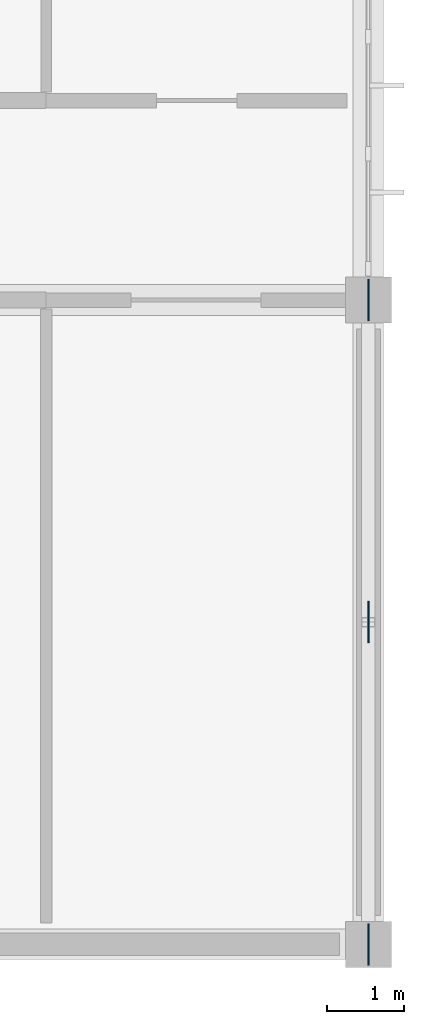
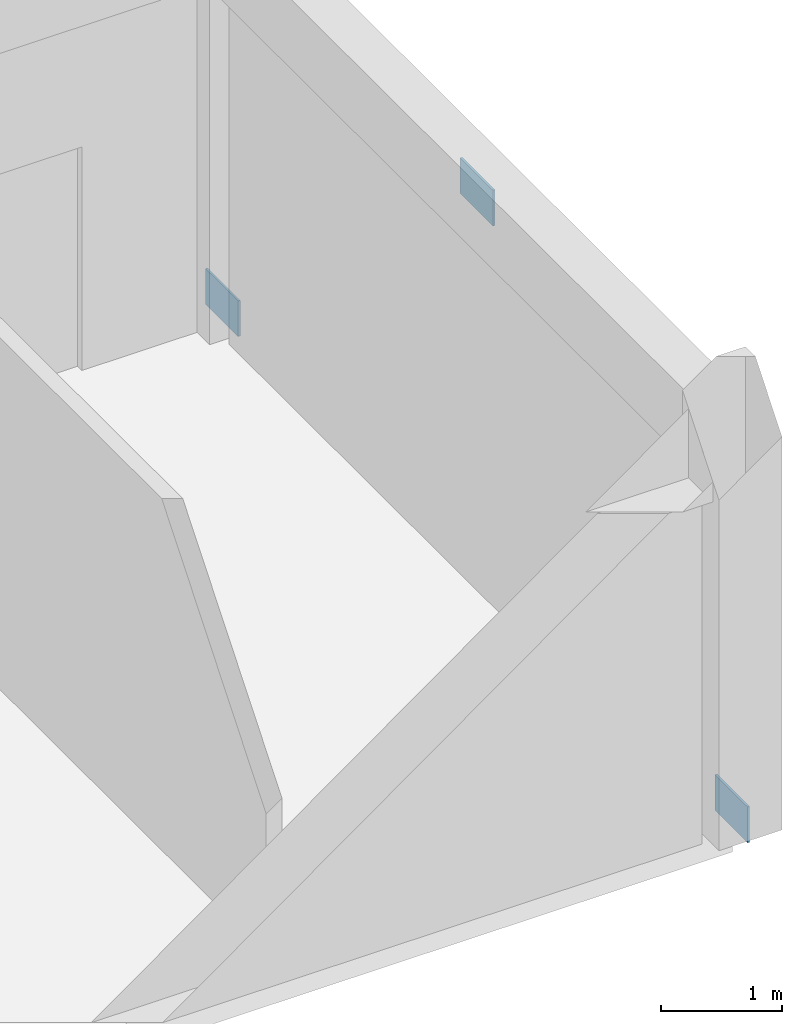
# One storey, part 94 of 144: 3 plates.
"""IFC4 building model written with IfcOpenShell, lengths in metres."""

from ifc_helpers import new_model, si_unit, direction, frame, origin, origin_2d, place, context, subcontext, project, spatial, rectangle, extrude, material, layer, layer_set, type_object, element, save


model = new_model("IFC4")

# Units and contexts
model_context = context("Model", 3, precision=1e-05, world=origin(), true_north=direction((0.0, 1.0)))
body_context = subcontext(model_context, "Body", "Model", "MODEL_VIEW")
ifc_project = project(units=[si_unit("LENGTHUNIT", "METRE"), si_unit("AREAUNIT", "SQUARE_METRE"), si_unit("VOLUMEUNIT", "CUBIC_METRE"), si_unit("PLANEANGLEUNIT", "RADIAN"), si_unit("MASSUNIT", "GRAM", prefix="KILO")], contexts=[model_context])

# Site, building, storey
site_placement = place(None, origin())
site = spatial("IfcSite", under=ifc_project, at=site_placement, CompositionType="ELEMENT")
building_placement = place(site_placement, origin())
building = spatial("IfcBuilding", under=site, at=building_placement, Name="Bramfleet General Hospital", CompositionType="ELEMENT")
storey_placement = place(building_placement, frame((0.0, 0.0, 4.800048828125)))
storey = spatial("IfcBuildingStorey", under=building, at=storey_placement, Name="L01", CompositionType="ELEMENT", Elevation=4.800048828125)

# Plates
ifc_material = material(Name="Steel S355", Category="steel")
ifc_layer = layer(ifc_material, 0.02001953125, Name="PL-GP-540")
ifc_layer_set = layer_set([ifc_layer], Name="Steel S355")
plate_type = type_object("IfcPlateType", Name="PL-GP-540", PredefinedType="USERDEFINED", material=ifc_layer_set)
for number, where, z_axis, x_axis, name in (
    (1, (168.0, 4.199951171875, 3.6201171875), (0.0, 0.0, 1.0), (1.0, 0.0, 0.0), "L01 Chevron Gusset Plate 5"),
    (2, (168.0, 0.0, -0.0400390625), (0.0, 0.0, 1.0), (1.0, 0.0, 0.0), "L01 Brace Foot Gusset Plate 5A"),
    (3, (168.0, 8.39990234375, -0.0400390625), (0.0, 0.0, 1.0), (1.0, 0.0, 0.0), "L01 Brace Foot Gusset Plate 5B"),
):
    element("IfcPlate", number, at=place(storey_placement, frame(where, z_axis=z_axis, x_axis=x_axis)), inside=storey, type_object=plate_type, Name=name, ObjectType="Gusset plate", PredefinedType="USERDEFINED", context=body_context, shape_type="SweptSolid", body=[
        extrude(rectangle(XDim=0.02001953125, YDim=0.5400390625, at=origin_2d()), origin(), (0.0, 0.0, 1.0), 0.360107421875),
    ])

save(model, "model.ifc")
